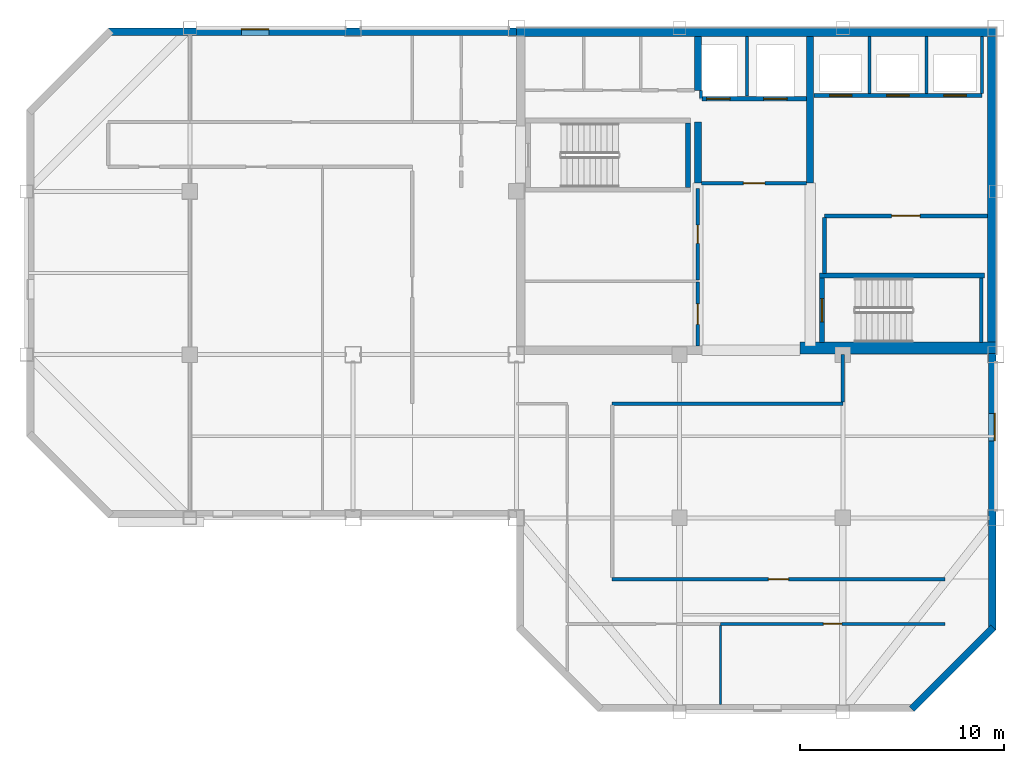
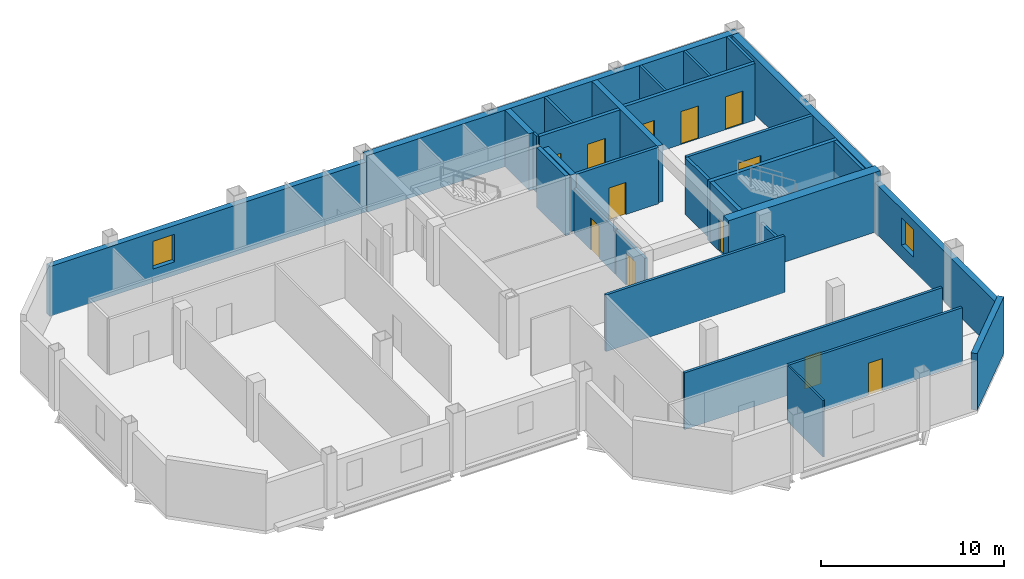
# One storey, part 3 of 6: 30 walls, 12 doors, 2 windows, 14 openings.
"""IFC4 building model written with IfcOpenShell, lengths in metres."""

from ifc_helpers import new_model, si_unit, direction, frame, frame_2d, origin, place, context, subcontext, project, spatial, rectangle, extrude, material, layer, layer_set, type_object, element, fill, save


model = new_model("IFC4")

# Units and contexts
model_context = context("Model", 3, precision=1e-05, world=origin(), true_north=direction((0.0, 1.0)))
body_context = subcontext(model_context, "Body", "Model", "MODEL_VIEW")
ifc_project = project(units=[si_unit("LENGTHUNIT", "METRE"), si_unit("AREAUNIT", "SQUARE_METRE"), si_unit("VOLUMEUNIT", "CUBIC_METRE"), si_unit("PLANEANGLEUNIT", "RADIAN"), si_unit("MASSUNIT", "GRAM", prefix="KILO")], contexts=[model_context])

# Site, building, storey
site_placement = place(None, origin())
site = spatial("IfcSite", under=ifc_project, at=site_placement, CompositionType="ELEMENT")
building_placement = place(site_placement, origin())
building = spatial("IfcBuilding", under=site, at=building_placement, Name="Qianrong Seaharbour Tower", CompositionType="ELEMENT")
storey_placement = place(building_placement, frame((0.0, 0.0, 319.199951171875)))
storey = spatial("IfcBuildingStorey", under=building, at=storey_placement, Name="L77", CompositionType="ELEMENT", Elevation=319.199951171875)

# Walls
ifc_material_1 = material(Name="Concrete C50/60", Category="concrete")
ifc_layer_1 = layer(ifc_material_1, 0.419921875)
ifc_layer_set_1 = layer_set([ifc_layer_1], Name="Concrete C50/60")
wall_type_1 = type_object("IfcWallType", Name="WALL-CORE-420", PredefinedType="SHEAR", material=ifc_layer_set_1)
wall_1_placement = place(storey_placement, frame((40.5, 51.7900390625, 0.0), z_axis=(0.0, 0.0, 1.0), x_axis=(1.0, 0.0, 0.0)))
element("IfcWall", 1, at=wall_1_placement, inside=storey, type_object=wall_type_1, Name="L77 North Core Shear Wall", PredefinedType="SHEAR", context=body_context, shape_type="SweptSolid", body=[
    extrude(rectangle(XDim=23.5, YDim=0.419921875, at=frame_2d((11.75, 0.0))), origin(), (0.0, 0.0, 1.0), 3.78515625),
])
wall_2_placement = place(storey_placement, frame((63.7900390625, 36.320068359375, 0.0), z_axis=(0.0, 0.0, 1.0), x_axis=(0.0, 1.0, 0.0)))
element("IfcWall", 2, at=wall_2_placement, inside=storey, type_object=wall_type_1, Name="L77 East Core Shear Wall", PredefinedType="SHEAR", context=body_context, shape_type="SweptSolid", body=[
    extrude(rectangle(XDim=15.260009765625, YDim=0.419921875, at=frame_2d((7.6298828125, 0.0))), origin(), (0.0, 0.0, 1.0), 3.78515625),
])
ifc_material_2 = material(Name="Concrete C70/85", Category="concrete")
ifc_layer_2 = layer(ifc_material_2, 0.580078125)
ifc_layer_set_2 = layer_set([ifc_layer_2], Name="Concrete C70/85")
wall_type_2 = type_object("IfcWallType", Name="WALL-CORE-580", PredefinedType="SHEAR", material=ifc_layer_set_2)
wall_3_placement = place(storey_placement, frame((54.39990234375, 36.320068359375, 0.0), z_axis=(0.0, 0.0, 1.0), x_axis=(1.0, 0.0, 0.0)))
element("IfcWall", 3, at=wall_3_placement, inside=storey, type_object=wall_type_2, Name="L77 South Core Shear Wall S3", PredefinedType="SHEAR", context=body_context, shape_type="SweptSolid", body=[
    extrude(rectangle(XDim=9.60009765625, YDim=0.580078125, at=frame_2d((4.800048828125, 0.0))), origin(), (0.0, 0.0, 1.0), 4.0),
])
ifc_layer_3 = layer(ifc_material_1, 0.35009765625)
ifc_layer_set_3 = layer_set([ifc_layer_3], Name="Concrete C50/60")
wall_type_3 = type_object("IfcWallType", Name="WALL-CORE-INT-350", PredefinedType="SHEAR", material=ifc_layer_set_3)
wall_4_placement = place(storey_placement, frame((49.39990234375, 44.39990234375, 0.0), z_axis=(0.0, 0.0, 1.0), x_axis=(0.0, 1.0, 0.0)))
element("IfcWall", 4, at=wall_4_placement, inside=storey, type_object=wall_type_3, Name="L77 Internal Core Shear Wall IW1N1", PredefinedType="SHEAR", context=body_context, shape_type="SweptSolid", body=[
    extrude(rectangle(XDim=3.0, YDim=0.35009765625, at=frame_2d((1.5, 0.0))), origin(), (0.0, 0.0, 1.0), 3.78515625),
])
wall_5_placement = place(storey_placement, frame((49.39990234375, 48.949951171875, 0.0), z_axis=(0.0, 0.0, 1.0), x_axis=(0.0, 1.0, 0.0)))
element("IfcWall", 5, at=wall_5_placement, inside=storey, type_object=wall_type_3, Name="L77 Internal Core Shear Wall IW1N2", PredefinedType="SHEAR", context=body_context, shape_type="SweptSolid", body=[
    extrude(rectangle(XDim=2.630126953125, YDim=0.35009765625, at=frame_2d((1.31494140625, 0.0))), origin(), (0.0, 0.0, 1.0), 3.78515625),
])
wall_6_placement = place(storey_placement, frame((54.89990234375, 44.39990234375, 0.0), z_axis=(0.0, 0.0, 1.0), x_axis=(0.0, 1.0, 0.0)))
element("IfcWall", 6, at=wall_6_placement, inside=storey, type_object=wall_type_3, Name="L77 Internal Core Shear Wall IW2N", PredefinedType="SHEAR", context=body_context, shape_type="SweptSolid", body=[
    extrude(rectangle(XDim=7.18017578125, YDim=0.35009765625, at=frame_2d((3.590087890625, 0.0))), origin(), (0.0, 0.0, 1.0), 3.78515625),
])

# Wall, opening, door
ifc_material_3 = material(Name="Fire-rated acoustic gypsum board partition")
ifc_layer_4 = layer(ifc_material_3, 0.1650390625)
ifc_layer_set_4 = layer_set([ifc_layer_4], Name="Fire-rated acoustic gypsum board partition")
wall_type_4 = type_object("IfcWallType", Name="WALL-CORR-PART-165", PredefinedType="PARTITIONING", material=ifc_layer_set_4)
wall_7_placement = place(storey_placement, frame((49.39990234375, 36.419921875, 0.0), z_axis=(0.0, 0.0, 1.0), x_axis=(0.0, 1.0, 0.0)))
wall_7 = element("IfcWall", 7, at=wall_7_placement, inside=storey, type_object=wall_type_4, Name="L77 Interior Partition Wall 011", PredefinedType="PARTITIONING", context=body_context, shape_type="SweptSolid", body=[
    extrude(rectangle(XDim=3.133056640625, YDim=0.1650390625, at=frame_2d((1.56640625, 0.0))), origin(), (0.0, 0.0, 1.0), 3.027099609375),
])
opening_1_placement = place(wall_7_placement, frame((1.06640625, 0.0, 0.0)))
opening_1 = element("IfcOpeningElement", 8, at=opening_1_placement, cuts=wall_7, Name="Opening DO-01", PredefinedType="OPENING", context=body_context, shape_type="SweptSolid", body=[
    extrude(rectangle(XDim=1.0, YDim=2.14990234375, at=frame_2d((0.5, 1.074951171875))), frame((0.0, 0.092529296875, 0.0), z_axis=(0.0, -1.0, 0.0), x_axis=(1.0, 0.0, 0.0)), (0.0, 0.0, 1.0), 0.18505859375),
])
ifc_material_4 = material(Name="Acoustic timber and galvanized steel fire door assembly", Category="steel")
door_type_1 = type_object("IfcDoorType", Name="DOOR-OFFICE-1000x2150", OperationType="NOTDEFINED", PredefinedType="DOOR", material=ifc_material_4)
door_1_placement = place(opening_1_placement, origin())
door_1 = element("IfcDoor", 9, at=door_1_placement, inside=storey, type_object=door_type_1, Name="L77 Wellness Room Door", OperationType="SINGLE_SWING_LEFT", OverallHeight=2.14990234375, OverallWidth=1.0, PredefinedType="DOOR", context=body_context, shape_type="SweptSolid", body=[
    extrude(rectangle(XDim=1.0, YDim=2.14990234375, at=frame_2d((0.5, 1.074951171875))), frame((0.0, 0.02490234375, 0.0), z_axis=(0.0, -1.0, 0.0), x_axis=(1.0, 0.0, 0.0)), (0.0, 0.0, 1.0), 0.050048828125),
])
fill(opening_1, door_1)

wall_8_placement = place(storey_placement, frame((49.39990234375, 39.64697265625, 0.0), z_axis=(0.0, 0.0, 1.0), x_axis=(0.0, 1.0, 0.0)))
wall_8 = element("IfcWall", 10, at=wall_8_placement, inside=storey, type_object=wall_type_4, Name="L77 Interior Partition Wall 012", PredefinedType="PARTITIONING", context=body_context, shape_type="SweptSolid", body=[
    extrude(rectangle(XDim=4.5029296875, YDim=0.1650390625, at=frame_2d((2.25146484375, 0.0))), origin(), (0.0, 0.0, 1.0), 3.027099609375),
])
opening_2_placement = place(wall_8_placement, frame((1.801513671875, 0.0, 0.0)))
opening_2 = element("IfcOpeningElement", 11, at=opening_2_placement, cuts=wall_8, Name="Opening DS-01", PredefinedType="OPENING", context=body_context, shape_type="SweptSolid", body=[
    extrude(rectangle(XDim=0.89990234375, YDim=2.14990234375, at=frame_2d((0.449951171875, 1.074951171875))), frame((0.0, 0.092529296875, 0.0), z_axis=(0.0, -1.0, 0.0), x_axis=(1.0, 0.0, 0.0)), (0.0, 0.0, 1.0), 0.18505859375),
])
door_type_2 = type_object("IfcDoorType", Name="DOOR-STORE-900x2150", OperationType="NOTDEFINED", PredefinedType="DOOR", material=ifc_material_4)
door_2_placement = place(opening_2_placement, origin())
door_2 = element("IfcDoor", 12, at=door_2_placement, inside=storey, type_object=door_type_2, Name="L77 Equipment Store Room Door", OperationType="SINGLE_SWING_RIGHT", OverallHeight=2.14990234375, OverallWidth=0.89990234375, PredefinedType="DOOR", context=body_context, shape_type="SweptSolid", body=[
    extrude(rectangle(XDim=0.89990234375, YDim=2.14990234375, at=frame_2d((0.449951171875, 1.074951171875))), frame((0.0, 0.02490234375, 0.0), z_axis=(0.0, -1.0, 0.0), x_axis=(1.0, 0.0, 0.0)), (0.0, 0.0, 1.0), 0.050048828125),
])
fill(opening_2, door_2)

# Walls
wall_9_placement = place(storey_placement, frame((56.5, 36.0, 0.0), z_axis=(0.0, 0.0, 1.0), x_axis=(0.0, -1.0, 0.0)))
element("IfcWall", 13, at=wall_9_placement, inside=storey, type_object=wall_type_4, Name="L77 Interior Partition Wall 025", PredefinedType="PARTITIONING", context=body_context, shape_type="SweptSolid", body=[
    extrude(rectangle(XDim=2.325439453125, YDim=0.1650390625, at=frame_2d((1.16259765625, 0.0))), origin(), (0.0, 0.0, 1.0), 3.177001953125),
])
wall_10_placement = place(storey_placement, frame((56.5, 33.60009765625, 0.0), z_axis=(0.0, 0.0, 1.0), x_axis=(-1.0, 0.0, 0.0)))
element("IfcWall", 14, at=wall_10_placement, inside=storey, type_object=wall_type_4, Name="L77 Interior Partition Wall 026", PredefinedType="PARTITIONING", context=body_context, shape_type="SweptSolid", body=[
    extrude(rectangle(XDim=11.300048828125, YDim=0.1650390625, at=frame_2d((5.64990234375, 0.0))), origin(), (0.0, 0.0, 1.0), 3.78515625),
])

# Wall, opening, door
wall_11_placement = place(storey_placement, frame((45.199951171875, 25.0, 0.0), z_axis=(0.0, 0.0, 1.0), x_axis=(1.0, 0.0, 0.0)))
wall_11 = element("IfcWall", 15, at=wall_11_placement, inside=storey, type_object=wall_type_4, Name="L77 Interior Partition Wall 031", PredefinedType="PARTITIONING", context=body_context, shape_type="SweptSolid", body=[
    extrude(rectangle(XDim=16.300048828125, YDim=0.1650390625, at=frame_2d((8.14990234375, 0.0))), origin(), (0.0, 0.0, 1.0), 3.78515625),
])
opening_3_placement = place(wall_11_placement, frame((7.64990234375, 0.0, 0.0)))
opening_3 = element("IfcOpeningElement", 16, at=opening_3_placement, cuts=wall_11, Name="Opening DO-01", PredefinedType="OPENING", context=body_context, shape_type="SweptSolid", body=[
    extrude(rectangle(XDim=1.0, YDim=2.14990234375, at=frame_2d((0.5, 1.074951171875))), frame((0.0, 0.092529296875, 0.0), z_axis=(0.0, -1.0, 0.0), x_axis=(1.0, 0.0, 0.0)), (0.0, 0.0, 1.0), 0.18505859375),
])
door_3_placement = place(opening_3_placement, origin())
door_3 = element("IfcDoor", 17, at=door_3_placement, inside=storey, type_object=door_type_1, Name="L77 Staff Club Assembly Hall Door", OperationType="SINGLE_SWING_RIGHT", OverallHeight=2.14990234375, OverallWidth=1.0, PredefinedType="DOOR", context=body_context, shape_type="SweptSolid", body=[
    extrude(rectangle(XDim=1.0, YDim=2.14990234375, at=frame_2d((0.5, 1.074951171875))), frame((0.0, 0.02490234375, 0.0), z_axis=(0.0, -1.0, 0.0), x_axis=(1.0, 0.0, 0.0)), (0.0, 0.0, 1.0), 0.050048828125),
])
fill(opening_3, door_3)

wall_12_placement = place(storey_placement, frame((61.5, 22.800048828125, 0.0), z_axis=(0.0, 0.0, 1.0), x_axis=(-1.0, 0.0, 0.0)))
wall_12 = element("IfcWall", 18, at=wall_12_placement, inside=storey, type_object=wall_type_4, Name="L77 Interior Partition Wall 033", PredefinedType="PARTITIONING", context=body_context, shape_type="SweptSolid", body=[
    extrude(rectangle(XDim=11.0, YDim=0.1650390625, at=frame_2d((5.5, 0.0))), origin(), (0.0, 0.0, 1.0), 3.78515625),
])
opening_4_placement = place(wall_12_placement, frame((5.050048828125, 0.0, 0.0)))
opening_4 = element("IfcOpeningElement", 19, at=opening_4_placement, cuts=wall_12, Name="Opening DS-01", PredefinedType="OPENING", context=body_context, shape_type="SweptSolid", body=[
    extrude(rectangle(XDim=0.89990234375, YDim=2.14990234375, at=frame_2d((0.449951171875, 1.074951171875))), frame((0.0, 0.092529296875, 0.0), z_axis=(0.0, -1.0, 0.0), x_axis=(1.0, 0.0, 0.0)), (0.0, 0.0, 1.0), 0.18505859375),
])
door_4_placement = place(opening_4_placement, origin())
door_4 = element("IfcDoor", 20, at=door_4_placement, inside=storey, type_object=door_type_2, Name="L77 Corporate Archive Room 2 Door", OperationType="SINGLE_SWING_LEFT", OverallHeight=2.14990234375, OverallWidth=0.89990234375, PredefinedType="DOOR", context=body_context, shape_type="SweptSolid", body=[
    extrude(rectangle(XDim=0.89990234375, YDim=2.14990234375, at=frame_2d((0.449951171875, 1.074951171875))), frame((0.0, 0.02490234375, 0.0), z_axis=(0.0, -1.0, 0.0), x_axis=(1.0, 0.0, 0.0)), (0.0, 0.0, 1.0), 0.050048828125),
])
fill(opening_4, door_4)

# Wall
ifc_material_5 = material(Name="Demountable aluminium-framed acoustic office partition", Category="aluminium")
ifc_layer_5 = layer(ifc_material_5, 0.110107421875)
ifc_layer_set_5 = layer_set([ifc_layer_5], Name="Demountable aluminium-framed acoustic office partition")
wall_type_5 = type_object("IfcWallType", Name="WALL-DEMOUNT-110", PredefinedType="MOVABLE", material=ifc_layer_set_5)
wall_13_placement = place(storey_placement, frame((50.5, 22.7255859375, 0.0), z_axis=(0.0, 0.0, 1.0), x_axis=(0.0, -1.0, 0.0)))
element("IfcWall", 21, at=wall_13_placement, inside=storey, type_object=wall_type_5, Name="L77 Interior Partition Wall 038", PredefinedType="MOVABLE", context=body_context, shape_type="SweptSolid", body=[
    extrude(rectangle(XDim=3.87353515625, YDim=0.110107421875, at=frame_2d((1.936767578125, 0.0))), origin(), (0.0, 0.0, 1.0), 3.78515625),
])

# Wall, opening, window
ifc_material_6 = material(Name="Unitised red brick on Precast concrete C45/55", Category="masonry")
ifc_layer_6 = layer(ifc_material_6, 0.360107421875)
ifc_layer_set_6 = layer_set([ifc_layer_6], Name="Unitised red brick on Precast concrete C45/55")
wall_type_6 = type_object("IfcWallType", Name="WALL-EXT-BRICK-RED-360", PredefinedType="SOLIDWALL", material=ifc_layer_set_6)
wall_14_placement = place(storey_placement, frame((20.5, 51.820068359375, 0.0), z_axis=(0.0, 0.0, 1.0), x_axis=(1.0, 0.0, 0.0)))
wall_14 = element("IfcWall", 22, at=wall_14_placement, inside=storey, type_object=wall_type_6, Name="L77 Exterior Masonry Facade Wall NORTH_WING", PredefinedType="SOLIDWALL", context=body_context, shape_type="SweptSolid", body=[
    extrude(rectangle(XDim=20.02001953125, YDim=0.360107421875, at=frame_2d((10.010009765625, 0.0))), origin(), (0.0, 0.0, 1.0), 3.3349609375),
])
opening_5_placement = place(wall_14_placement, frame((6.52490234375, 0.0, 0.89990234375)))
opening_5 = element("IfcOpeningElement", 23, at=opening_5_placement, cuts=wall_14, Name="Opening WN-02", PredefinedType="OPENING", context=body_context, shape_type="SweptSolid", body=[
    extrude(rectangle(XDim=1.35009765625, YDim=1.85009765625, at=frame_2d((0.675048828125, 0.925048828125))), frame((0.0, 0.18994140625, 0.0), z_axis=(0.0, -1.0, 0.0), x_axis=(1.0, 0.0, 0.0)), (0.0, 0.0, 1.0), 0.380126953125),
])
ifc_material_7 = material(Name="Insulated low-e double glazing in thermally broken aluminium 6063-T6 frame", Category="aluminium")
window_type = type_object("IfcWindowType", Name="WIN-PUNCH-1350x1850", PartitioningType="DOUBLE_PANEL_VERTICAL", PredefinedType="WINDOW", material=ifc_material_7)
window_1_placement = place(opening_5_placement, origin())
window_1 = element("IfcWindow", 24, at=window_1_placement, inside=storey, type_object=window_type, Name="L77 Deep-Set Punched Window 05.02", OverallHeight=1.85009765625, OverallWidth=1.35009765625, PartitioningType="DOUBLE_PANEL_VERTICAL", PredefinedType="WINDOW", context=body_context, shape_type="SweptSolid", body=[
    extrude(rectangle(XDim=1.35009765625, YDim=1.85009765625, at=frame_2d((0.675048828125, 0.925048828125))), frame((0.0, 0.150146484375, 0.0), z_axis=(0.0, -1.0, 0.0), x_axis=(1.0, 0.0, 0.0)), (0.0, 0.0, 1.0), 0.06005859375),
])
fill(opening_5, window_1)

wall_15_placement = place(storey_placement, frame((63.820068359375, 36.050048828125, 0.0), z_axis=(0.0, 0.0, 1.0), x_axis=(0.0, -1.0, 0.0)))
wall_15 = element("IfcWall", 25, at=wall_15_placement, inside=storey, type_object=wall_type_6, Name="L77 Exterior Masonry Facade Wall EAST_WING", PredefinedType="SOLIDWALL", context=body_context, shape_type="SweptSolid", body=[
    extrude(rectangle(XDim=13.550048828125, YDim=0.360107421875, at=frame_2d((6.77490234375, 0.0))), origin(), (0.0, 0.0, 1.0), 3.3349609375),
])
opening_6_placement = place(wall_15_placement, frame((2.925048828125, 0.0, 0.89990234375)))
opening_6 = element("IfcOpeningElement", 26, at=opening_6_placement, cuts=wall_15, Name="Opening WN-02", PredefinedType="OPENING", context=body_context, shape_type="SweptSolid", body=[
    extrude(rectangle(XDim=1.35009765625, YDim=1.85009765625, at=frame_2d((0.675048828125, 0.925048828125))), frame((0.0, 0.18994140625, 0.0), z_axis=(0.0, -1.0, 0.0), x_axis=(1.0, 0.0, 0.0)), (0.0, 0.0, 1.0), 0.380126953125),
])
window_2_placement = place(opening_6_placement, origin())
window_2 = element("IfcWindow", 27, at=window_2_placement, inside=storey, type_object=window_type, Name="L77 Deep-Set Punched Window 06.01", OverallHeight=1.85009765625, OverallWidth=1.35009765625, PartitioningType="DOUBLE_PANEL_VERTICAL", PredefinedType="WINDOW", context=body_context, shape_type="SweptSolid", body=[
    extrude(rectangle(XDim=1.35009765625, YDim=1.85009765625, at=frame_2d((0.675048828125, 0.925048828125))), frame((0.0, 0.150146484375, 0.0), z_axis=(0.0, -1.0, 0.0), x_axis=(1.0, 0.0, 0.0)), (0.0, 0.0, 1.0), 0.06005859375),
])
fill(opening_6, window_2)

# Wall
wall_16_placement = place(storey_placement, frame((63.872802734375, 22.627197265625, 0.0), z_axis=(0.0, 0.0, 1.0), x_axis=(-0.707106781187, -0.707106781187, 0.0)))
element("IfcWall", 28, at=wall_16_placement, inside=storey, type_object=wall_type_6, Name="L77 Exterior Masonry Facade Wall E07", PredefinedType="SOLIDWALL", context=body_context, shape_type="SweptSolid", body=[
    extrude(rectangle(XDim=5.65673828125, YDim=0.360107421875, at=frame_2d((2.828369140625, 0.0))), origin(), (0.0, 0.0, 1.0), 3.78515625),
])

# Wall, opening, door
ifc_material_8 = material(Name="Double fire-rated gypsum board acoustic partition")
ifc_layer_7 = layer(ifc_material_8, 0.18994140625)
ifc_layer_set_7 = layer_set([ifc_layer_7], Name="Double fire-rated gypsum board acoustic partition")
wall_type_7 = type_object("IfcWallType", Name="WALL-FIRE-PART-190", PredefinedType="PARTITIONING", material=ifc_layer_set_7)
wall_17_placement = place(storey_placement, frame((54.73291015625, 44.39990234375, 0.0), z_axis=(0.0, 0.0, 1.0), x_axis=(-1.0, 0.0, 0.0)))
wall_17 = element("IfcWall", 29, at=wall_17_placement, inside=storey, type_object=wall_type_7, Name="L77 Interior Partition Wall 010", PredefinedType="PARTITIONING", context=body_context, shape_type="SweptSolid", body=[
    extrude(rectangle(XDim=5.166015625, YDim=0.18994140625, at=frame_2d((2.5830078125, 0.0))), origin(), (0.0, 0.0, 1.0), 3.78515625),
])
opening_7_placement = place(wall_17_placement, frame((2.05810546875, 0.0, 0.0)))
opening_7 = element("IfcOpeningElement", 30, at=opening_7_placement, cuts=wall_17, Name="Opening DC-01", PredefinedType="OPENING", context=body_context, shape_type="SweptSolid", body=[
    extrude(rectangle(XDim=1.050048828125, YDim=2.14990234375, at=frame_2d((0.52490234375, 1.074951171875))), frame((0.0, 0.10498046875, 0.0), z_axis=(0.0, -1.0, 0.0), x_axis=(1.0, 0.0, 0.0)), (0.0, 0.0, 1.0), 0.2099609375),
])
door_type_3 = type_object("IfcDoorType", Name="DOOR-CORR-FD60-1050x2150", OperationType="NOTDEFINED", PredefinedType="DOOR", material=ifc_material_4)
door_5_placement = place(opening_7_placement, origin())
door_5 = element("IfcDoor", 31, at=door_5_placement, inside=storey, type_object=door_type_3, Name="L77 Firefighting Lift Lobby Door", OperationType="SINGLE_SWING_RIGHT", OverallHeight=2.14990234375, OverallWidth=1.050048828125, PredefinedType="DOOR", context=body_context, shape_type="SweptSolid", body=[
    extrude(rectangle(XDim=1.050048828125, YDim=2.14990234375, at=frame_2d((0.52490234375, 1.074951171875))), frame((0.0, 0.02490234375, 0.0), z_axis=(0.0, -1.0, 0.0), x_axis=(1.0, 0.0, 0.0)), (0.0, 0.0, 1.0), 0.050048828125),
])
fill(opening_7, door_5)

# Wall
wall_18_placement = place(storey_placement, frame((55.60009765625, 42.712890625, 0.0), z_axis=(0.0, 0.0, 1.0), x_axis=(0.0, -1.0, 0.0)))
element("IfcWall", 32, at=wall_18_placement, inside=storey, type_object=wall_type_7, Name="L77 Interior Partition Wall 013", PredefinedType="PARTITIONING", context=body_context, shape_type="SweptSolid", body=[
    extrude(rectangle(XDim=2.73095703125, YDim=0.18994140625, at=frame_2d((1.365478515625, 0.0))), origin(), (0.0, 0.0, 1.0), 3.78515625),
])

# Wall, opening, door
wall_19_placement = place(storey_placement, frame((63.580078125, 42.800048828125, 0.0), z_axis=(0.0, 0.0, 1.0), x_axis=(-1.0, 0.0, 0.0)))
wall_19 = element("IfcWall", 33, at=wall_19_placement, inside=storey, type_object=wall_type_7, Name="L77 Interior Partition Wall 015", PredefinedType="PARTITIONING", context=body_context, shape_type="SweptSolid", body=[
    extrude(rectangle(XDim=7.97998046875, YDim=0.18994140625, at=frame_2d((3.989990234375, 0.0))), origin(), (0.0, 0.0, 1.0), 3.78515625),
])
opening_8_placement = place(wall_19_placement, frame((3.2900390625, 0.0, 0.0)))
opening_8 = element("IfcOpeningElement", 34, at=opening_8_placement, cuts=wall_19, Name="Opening DP-01", PredefinedType="OPENING", context=body_context, shape_type="SweptSolid", body=[
    extrude(rectangle(XDim=1.39990234375, YDim=2.25, at=frame_2d((0.699951171875, 1.125))), frame((0.0, 0.10498046875, 0.0), z_axis=(0.0, -1.0, 0.0), x_axis=(1.0, 0.0, 0.0)), (0.0, 0.0, 1.0), 0.2099609375),
])
door_type_4 = type_object("IfcDoorType", Name="DOOR-PLANT-PAIR-1400x2250", OperationType="DOUBLE_DOOR_SINGLE_SWING", PredefinedType="DOOR", material=ifc_material_4)
door_6_placement = place(opening_8_placement, origin())
door_6 = element("IfcDoor", 35, at=door_6_placement, inside=storey, type_object=door_type_4, Name="L77 Core Telecom Hub Room Door", OperationType="DOUBLE_DOOR_SINGLE_SWING", OverallHeight=2.25, OverallWidth=1.39990234375, PredefinedType="DOOR", context=body_context, shape_type="SweptSolid", body=[
    extrude(rectangle(XDim=1.39990234375, YDim=2.25, at=frame_2d((0.699951171875, 1.125))), frame((0.0, 0.02490234375, 0.0), z_axis=(0.0, -1.0, 0.0), x_axis=(1.0, 0.0, 0.0)), (0.0, 0.0, 1.0), 0.050048828125),
])
fill(opening_8, door_6)

# Walls
ifc_material_9 = material(Name="Fire-rated gypsum board on steel studs", Category="steel")
ifc_layer_8 = layer(ifc_material_9, 0.14990234375)
ifc_layer_set_8 = layer_set([ifc_layer_8], Name="Fire-rated gypsum board on steel studs")
wall_type_8 = type_object("IfcWallType", Name="WALL-SHAFT-DIV-150", PredefinedType="PARTITIONING", material=ifc_layer_set_8)
wall_20_placement = place(storey_placement, frame((51.800048828125, 48.669921875, 0.0), z_axis=(0.0, 0.0, 1.0), x_axis=(0.0, 1.0, 0.0)))
element("IfcWall", 36, at=wall_20_placement, inside=storey, type_object=wall_type_8, Name="L77 Firefighting Lift Shaft Divider Wall", PredefinedType="PARTITIONING", context=body_context, shape_type="SweptSolid", body=[
    extrude(rectangle(XDim=2.91015625, YDim=0.14990234375, at=frame_2d((1.455078125, 0.0))), origin(), (0.0, 0.0, 1.0), 3.78515625),
])
wall_21_placement = place(storey_placement, frame((49.550048828125, 48.550048828125, 0.0), z_axis=(0.0, 0.0, 1.0), x_axis=(0.0, 1.0, 0.0)))
element("IfcWall", 37, at=wall_21_placement, inside=storey, type_object=wall_type_8, Name="L77 Firefighting Lift Shaft West Return Wall", PredefinedType="PARTITIONING", context=body_context, shape_type="SweptSolid", body=[
    extrude(rectangle(XDim=0.39990234375, YDim=0.14990234375, at=frame_2d((0.199951171875, 0.0))), origin(), (0.0, 0.0, 1.0), 3.78515625),
])
for number, where, z_axis, x_axis, name in (
    (38, (57.800048828125, 48.81005859375, 0.0), (0.0, 0.0, 1.0), (0.0, 1.0, 0.0), "L77 P4 Lift Hoistway Divider 2"),
    (39, (60.60009765625, 48.81005859375, 0.0), (0.0, 0.0, 1.0), (0.0, 1.0, 0.0), "L77 P4 Lift Hoistway Divider 3"),
    (40, (63.320068359375, 48.81005859375, 0.0), (0.0, 0.0, 1.0), (0.0, 1.0, 0.0), "L77 P4 Lift Hoistway Divider 4"),
):
    element("IfcWall", number, at=place(storey_placement, frame(where, z_axis=z_axis, x_axis=x_axis)), inside=storey, type_object=wall_type_8, Name=name, PredefinedType="PARTITIONING", context=body_context, shape_type="SweptSolid", body=[
        extrude(rectangle(XDim=2.77001953125, YDim=0.14990234375, at=frame_2d((1.385009765625, 0.0))), origin(), (0.0, 0.0, 1.0), 3.78515625),
    ])

# Wall, openings, doors
ifc_layer_9 = layer(ifc_material_9, 0.219970703125)
ifc_layer_set_9 = layer_set([ifc_layer_9], Name="Fire-rated gypsum board on steel studs")
wall_type_9 = type_object("IfcWallType", Name="WALL-SHAFT-GYP220", PredefinedType="PARTITIONING", material=ifc_layer_set_9)
wall_22_placement = place(storey_placement, frame((54.7099609375, 48.550048828125, 0.0), z_axis=(0.0, 0.0, 1.0), x_axis=(-1.0, 0.0, 0.0)))
wall_22 = element("IfcWall", 41, at=wall_22_placement, inside=storey, type_object=wall_type_9, Name="L77 Firefighting Lift Shaft Front Wall", PredefinedType="PARTITIONING", context=body_context, shape_type="SweptSolid", body=[
    extrude(rectangle(XDim=5.119873046875, YDim=0.219970703125, at=frame_2d((2.56005859375, 0.0))), origin(), (0.0, 0.0, 1.0), 3.78515625),
])
opening_9_placement = place(wall_22_placement, frame((3.735107421875, 0.0, 0.0)))
opening_9 = element("IfcOpeningElement", 42, at=opening_9_placement, cuts=wall_22, Name="Opening LD-01", PredefinedType="OPENING", context=body_context, shape_type="SweptSolid", body=[
    extrude(rectangle(XDim=1.14990234375, YDim=2.199951171875, at=frame_2d((0.574951171875, 1.10009765625))), frame((0.0, 0.1201171875, 0.0), z_axis=(0.0, -1.0, 0.0), x_axis=(1.0, 0.0, 0.0)), (0.0, 0.0, 1.0), 0.239990234375),
])
opening_10_placement = place(wall_22_placement, frame((0.93505859375, 0.0, 0.0)))
opening_10 = element("IfcOpeningElement", 43, at=opening_10_placement, cuts=wall_22, Name="Opening LD-01", PredefinedType="OPENING", context=body_context, shape_type="SweptSolid", body=[
    extrude(rectangle(XDim=1.14990234375, YDim=2.199951171875, at=frame_2d((0.574951171875, 1.10009765625))), frame((0.0, 0.1201171875, 0.0), z_axis=(0.0, -1.0, 0.0), x_axis=(1.0, 0.0, 0.0)), (0.0, 0.0, 1.0), 0.239990234375),
])
ifc_material_10 = material(Name="Stainless steel SUS316L bi-parting lift landing door", Category="steel")
door_type_5 = type_object("IfcDoorType", Name="DOOR-LIFT-FF-1150x2200", OperationType="DOUBLE_DOOR_SLIDING", PredefinedType="DOOR", material=ifc_material_10)
door_7_placement = place(opening_9_placement, origin())
door_7 = element("IfcDoor", 44, at=door_7_placement, inside=storey, type_object=door_type_5, Name="L77 FL-1 Firefighting Lift Landing Door", OperationType="DOUBLE_DOOR_SLIDING", OverallHeight=2.199951171875, OverallWidth=1.14990234375, PredefinedType="DOOR", context=body_context, shape_type="SweptSolid", body=[
    extrude(rectangle(XDim=1.14990234375, YDim=2.199951171875, at=frame_2d((0.574951171875, 1.10009765625))), frame((0.0, 0.02490234375, 0.0), z_axis=(0.0, -1.0, 0.0), x_axis=(1.0, 0.0, 0.0)), (0.0, 0.0, 1.0), 0.050048828125),
])
fill(opening_9, door_7)
door_8_placement = place(opening_10_placement, origin())
door_8 = element("IfcDoor", 45, at=door_8_placement, inside=storey, type_object=door_type_5, Name="L77 FL-2 Firefighting Lift Landing Door", OperationType="DOUBLE_DOOR_SLIDING", OverallHeight=2.199951171875, OverallWidth=1.14990234375, PredefinedType="DOOR", context=body_context, shape_type="SweptSolid", body=[
    extrude(rectangle(XDim=1.14990234375, YDim=2.199951171875, at=frame_2d((0.574951171875, 1.10009765625))), frame((0.0, 0.02490234375, 0.0), z_axis=(0.0, -1.0, 0.0), x_axis=(1.0, 0.0, 0.0)), (0.0, 0.0, 1.0), 0.050048828125),
])
fill(opening_10, door_8)

wall_23_placement = place(storey_placement, frame((63.320068359375, 48.699951171875, 0.0), z_axis=(0.0, 0.0, 1.0), x_axis=(-1.0, 0.0, 0.0)))
wall_23 = element("IfcWall", 46, at=wall_23_placement, inside=storey, type_object=wall_type_9, Name="L77 P4 Lift Hoistway Front Wall", PredefinedType="PARTITIONING", context=body_context, shape_type="SweptSolid", body=[
    extrude(rectangle(XDim=8.239990234375, YDim=0.219970703125, at=frame_2d((4.1201171875, 0.0))), origin(), (0.0, 0.0, 1.0), 3.78515625),
])
opening_11_placement = place(wall_23_placement, frame((6.3701171875, 0.0, 0.0)))
opening_11 = element("IfcOpeningElement", 47, at=opening_11_placement, cuts=wall_23, Name="Opening LD-02", PredefinedType="OPENING", context=body_context, shape_type="SweptSolid", body=[
    extrude(rectangle(XDim=1.10009765625, YDim=2.199951171875, at=frame_2d((0.550048828125, 1.10009765625))), frame((0.0, 0.1201171875, 0.0), z_axis=(0.0, -1.0, 0.0), x_axis=(1.0, 0.0, 0.0)), (0.0, 0.0, 1.0), 0.239990234375),
])
opening_12_placement = place(wall_23_placement, frame((3.570068359375, 0.0, 0.0)))
opening_12 = element("IfcOpeningElement", 48, at=opening_12_placement, cuts=wall_23, Name="Opening LD-02", PredefinedType="OPENING", context=body_context, shape_type="SweptSolid", body=[
    extrude(rectangle(XDim=1.10009765625, YDim=2.199951171875, at=frame_2d((0.550048828125, 1.10009765625))), frame((0.0, 0.1201171875, 0.0), z_axis=(0.0, -1.0, 0.0), x_axis=(1.0, 0.0, 0.0)), (0.0, 0.0, 1.0), 0.239990234375),
])
opening_13_placement = place(wall_23_placement, frame((0.77001953125, 0.0, 0.0)))
opening_13 = element("IfcOpeningElement", 49, at=opening_13_placement, cuts=wall_23, Name="Opening LD-02", PredefinedType="OPENING", context=body_context, shape_type="SweptSolid", body=[
    extrude(rectangle(XDim=1.10009765625, YDim=2.199951171875, at=frame_2d((0.550048828125, 1.10009765625))), frame((0.0, 0.1201171875, 0.0), z_axis=(0.0, -1.0, 0.0), x_axis=(1.0, 0.0, 0.0)), (0.0, 0.0, 1.0), 0.239990234375),
])
door_type_6 = type_object("IfcDoorType", Name="DOOR-LIFT-PASS-1100x2200", OperationType="DOUBLE_DOOR_SLIDING", PredefinedType="DOOR", material=ifc_material_10)
door_9_placement = place(opening_11_placement, origin())
door_9 = element("IfcDoor", 50, at=door_9_placement, inside=storey, type_object=door_type_6, Name="L77 PL-4A Lift Landing Door", OperationType="DOUBLE_DOOR_SLIDING", OverallHeight=2.199951171875, OverallWidth=1.10009765625, PredefinedType="DOOR", context=body_context, shape_type="SweptSolid", body=[
    extrude(rectangle(XDim=1.10009765625, YDim=2.199951171875, at=frame_2d((0.550048828125, 1.10009765625))), frame((0.0, 0.02490234375, 0.0), z_axis=(0.0, -1.0, 0.0), x_axis=(1.0, 0.0, 0.0)), (0.0, 0.0, 1.0), 0.050048828125),
])
fill(opening_11, door_9)
door_10_placement = place(opening_12_placement, origin())
door_10 = element("IfcDoor", 51, at=door_10_placement, inside=storey, type_object=door_type_6, Name="L77 PL-4B Lift Landing Door", OperationType="DOUBLE_DOOR_SLIDING", OverallHeight=2.199951171875, OverallWidth=1.10009765625, PredefinedType="DOOR", context=body_context, shape_type="SweptSolid", body=[
    extrude(rectangle(XDim=1.10009765625, YDim=2.199951171875, at=frame_2d((0.550048828125, 1.10009765625))), frame((0.0, 0.02490234375, 0.0), z_axis=(0.0, -1.0, 0.0), x_axis=(1.0, 0.0, 0.0)), (0.0, 0.0, 1.0), 0.050048828125),
])
fill(opening_12, door_10)
door_11_placement = place(opening_13_placement, origin())
door_11 = element("IfcDoor", 52, at=door_11_placement, inside=storey, type_object=door_type_6, Name="L77 PL-4C Lift Landing Door", OperationType="DOUBLE_DOOR_SLIDING", OverallHeight=2.199951171875, OverallWidth=1.10009765625, PredefinedType="DOOR", context=body_context, shape_type="SweptSolid", body=[
    extrude(rectangle(XDim=1.10009765625, YDim=2.199951171875, at=frame_2d((0.550048828125, 1.10009765625))), frame((0.0, 0.02490234375, 0.0), z_axis=(0.0, -1.0, 0.0), x_axis=(1.0, 0.0, 0.0)), (0.0, 0.0, 1.0), 0.050048828125),
])
fill(opening_13, door_11)

# Walls
ifc_layer_10 = layer(ifc_material_1, 0.239990234375)
ifc_layer_set_10 = layer_set([ifc_layer_10], Name="Concrete C50/60")
wall_type_10 = type_object("IfcWallType", Name="WALL-SHAFT-RC240", PredefinedType="SOLIDWALL", material=ifc_layer_set_10)
wall_24_placement = place(storey_placement, frame((48.919921875, 44.199951171875, 0.0), z_axis=(0.0, 0.0, 1.0), x_axis=(0.0, 1.0, 0.0)))
element("IfcWall", 53, at=wall_24_placement, inside=storey, type_object=wall_type_10, Name="L77 ST-1 Structural Stair Core Wall E", PredefinedType="SOLIDWALL", context=body_context, shape_type="SweptSolid", body=[
    extrude(rectangle(XDim=3.150146484375, YDim=0.239990234375, at=frame_2d((1.5751953125, 0.0))), origin(), (0.0, 0.0, 1.0), 4.0),
])
wall_25_placement = place(storey_placement, frame((55.360107421875, 39.8701171875, 0.0), z_axis=(0.0, 0.0, 1.0), x_axis=(1.0, 0.0, 0.0)))
element("IfcWall", 54, at=wall_25_placement, inside=storey, type_object=wall_type_10, Name="L77 ST-2 Structural Stair Core Wall N", PredefinedType="SOLIDWALL", context=body_context, shape_type="SweptSolid", body=[
    extrude(rectangle(XDim=8.079833984375, YDim=0.239990234375, at=frame_2d((4.0400390625, 0.0))), origin(), (0.0, 0.0, 1.0), 4.0),
])

# Wall, opening, door
wall_26_placement = place(storey_placement, frame((55.47998046875, 39.75, 0.0), z_axis=(0.0, 0.0, 1.0), x_axis=(0.0, -1.0, 0.0)))
wall_26 = element("IfcWall", 55, at=wall_26_placement, inside=storey, type_object=wall_type_10, Name="L77 ST-2 Structural Stair Core Wall W", PredefinedType="SOLIDWALL", context=body_context, shape_type="SweptSolid", body=[
    extrude(rectangle(XDim=3.14990234375, YDim=0.239990234375, at=frame_2d((1.574951171875, 0.0))), origin(), (0.0, 0.0, 1.0), 4.0),
])
opening_14_placement = place(wall_26_placement, frame((1.0, 0.0, 0.0)))
opening_14 = element("IfcOpeningElement", 56, at=opening_14_placement, cuts=wall_26, Name="Opening SD-01", PredefinedType="OPENING", context=body_context, shape_type="SweptSolid", body=[
    extrude(rectangle(XDim=1.14990234375, YDim=2.199951171875, at=frame_2d((0.574951171875, 1.10009765625))), frame((0.0, 0.1298828125, 0.0), z_axis=(0.0, -1.0, 0.0), x_axis=(1.0, 0.0, 0.0)), (0.0, 0.0, 1.0), 0.260009765625),
])
door_type_7 = type_object("IfcDoorType", Name="DOOR-STAIR-FD60-1150x2200", OperationType="NOTDEFINED", PredefinedType="DOOR", material=ifc_material_4)
door_12_placement = place(opening_14_placement, origin())
door_12 = element("IfcDoor", 57, at=door_12_placement, inside=storey, type_object=door_type_7, Name="L77 ST-2 Protected Stair Door", OperationType="SINGLE_SWING_RIGHT", OverallHeight=2.199951171875, OverallWidth=1.14990234375, PredefinedType="DOOR", context=body_context, shape_type="SweptSolid", body=[
    extrude(rectangle(XDim=1.14990234375, YDim=2.199951171875, at=frame_2d((0.574951171875, 1.10009765625))), frame((0.0, 0.02490234375, 0.0), z_axis=(0.0, -1.0, 0.0), x_axis=(1.0, 0.0, 0.0)), (0.0, 0.0, 1.0), 0.050048828125),
])
fill(opening_14, door_12)

# Wall
wall_27_placement = place(storey_placement, frame((63.2900390625, 36.60009765625, 0.0), z_axis=(0.0, 0.0, 1.0), x_axis=(0.0, 1.0, 0.0)))
element("IfcWall", 58, at=wall_27_placement, inside=storey, type_object=wall_type_10, Name="L77 ST-2 Structural Stair Core Wall E", PredefinedType="SOLIDWALL", context=body_context, shape_type="SweptSolid", body=[
    extrude(rectangle(XDim=3.14990234375, YDim=0.179931640625, at=frame_2d((1.574951171875, 0.0))), origin(), (0.0, 0.0, 1.0), 4.0),
])

save(model, "model.ifc")
